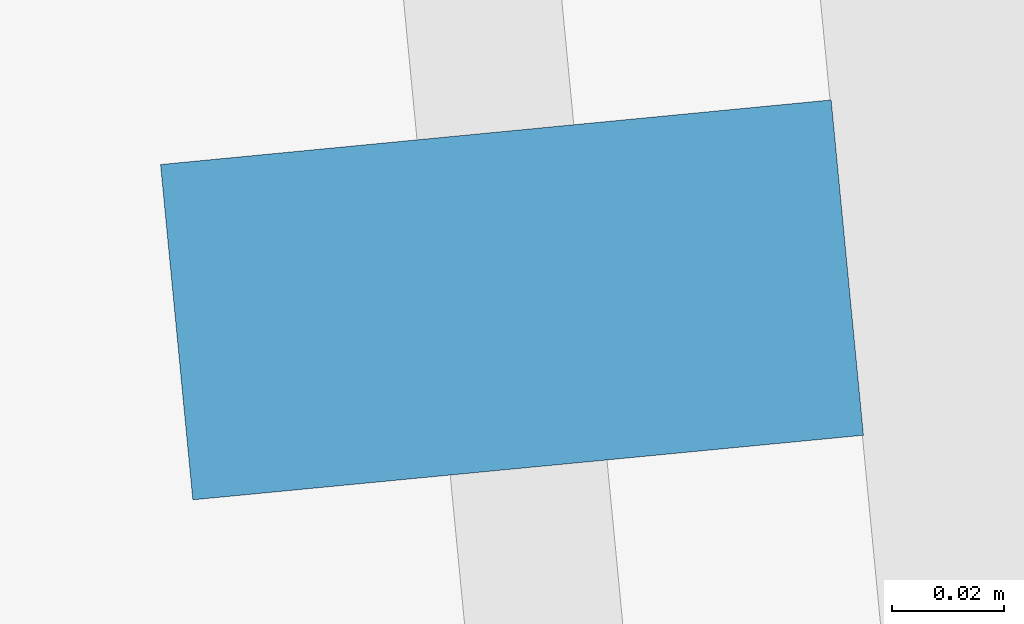
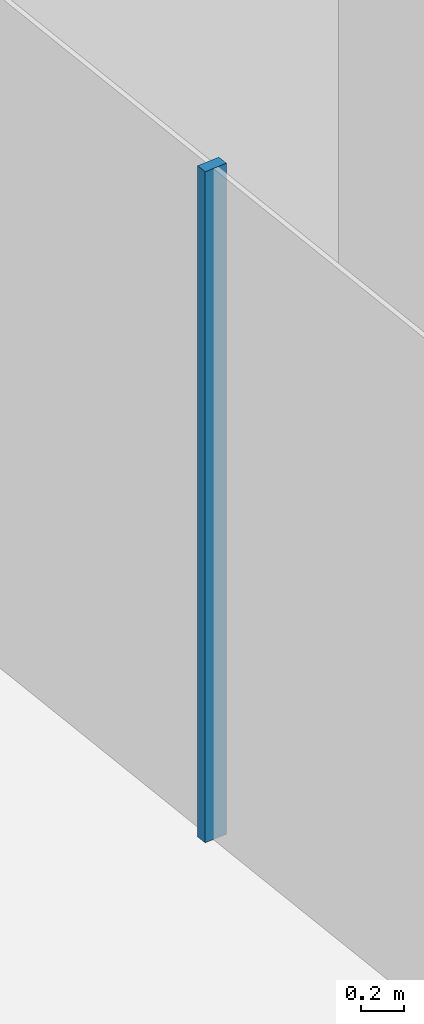
# One storey, part 13 of 30: 1 member, 1 element without a shape of its own.
"""IFC4 building model written with IfcOpenShell, lengths in metres."""

from ifc_helpers import new_model, si_unit, direction, frame, origin, origin_2d, place, context, subcontext, project, spatial, rectangle, extrude, material, layer, layer_set, material_profile, profile_set, type_object, element, aggregate, save


model = new_model("IFC4")

# Units and contexts
model_context = context("Model", 3, precision=1e-05, world=origin(), true_north=direction((0.0, 1.0)))
body_context = subcontext(model_context, "Body", "Model", "MODEL_VIEW")
ifc_project = project(units=[si_unit("LENGTHUNIT", "METRE"), si_unit("AREAUNIT", "SQUARE_METRE"), si_unit("VOLUMEUNIT", "CUBIC_METRE"), si_unit("PLANEANGLEUNIT", "RADIAN"), si_unit("MASSUNIT", "GRAM", prefix="KILO")], contexts=[model_context])

# Site, building, storey
site_placement = place(None, origin())
site = spatial("IfcSite", under=ifc_project, at=site_placement, CompositionType="ELEMENT")
building_placement = place(site_placement, origin())
building = spatial("IfcBuilding", under=site, at=building_placement, Name="Welwitschia Terrace Campus", CompositionType="ELEMENT")
storey_placement = place(building_placement, frame((0.0, 0.0, 75.199951171875)))
storey = spatial("IfcBuildingStorey", under=building, at=storey_placement, Name="L17", CompositionType="ELEMENT", Elevation=75.199951171875)

# Curtain wall, member
ifc_material_1 = material(Name="Bronze anodised aluminium", Category="aluminium")
ifc_layer = layer(ifc_material_1, 0.1201171875)
ifc_layer_set = layer_set([ifc_layer], Name="Bronze anodised aluminium")
curtain_wall_type = type_object("IfcCurtainWallType", Name="Curtain wall CW2 tower 6000", PredefinedType="NOTDEFINED", material=ifc_layer_set)
curtain_wall_placement = place(storey_placement, origin())
curtain_wall = element("IfcCurtainWall", 1, at=curtain_wall_placement, inside=storey, type_object=curtain_wall_type, Name="CW L17.16.0", PredefinedType="NOTDEFINED")
ifc_material_2 = material(Name="Bronze anodised aluminium", Category="aluminium")
ifc_material_profile = material_profile(ifc_material_2, rectangle(XDim=0.1201171875, YDim=0.06005859375, at=origin_2d()))
ifc_profile_set = profile_set([ifc_material_profile], Name="Bronze anodised aluminium")
member_type = type_object("IfcMemberType", Name="Mullion 60x120", PredefinedType="MULLION", material=ifc_profile_set)
member_placement = place(storey_placement, frame((-2.909423828125, 41.568359375, 0.0), z_axis=(0.0, 0.0, 1.0), x_axis=(0.995396198367, 0.09584575252, 0.0)))
member = element("IfcMember", 2, at=member_placement, type_object=member_type, Name="Mullion L17.16.0.3", PredefinedType="MULLION", context=body_context, shape_type="SweptSolid", body=[
    extrude(rectangle(XDim=0.1201171875, YDim=0.06005859375, at=origin_2d()), origin(), (0.0, 0.0, 1.0), 3.800048828125),
])
aggregate(curtain_wall, [member])

save(model, "model.ifc")
